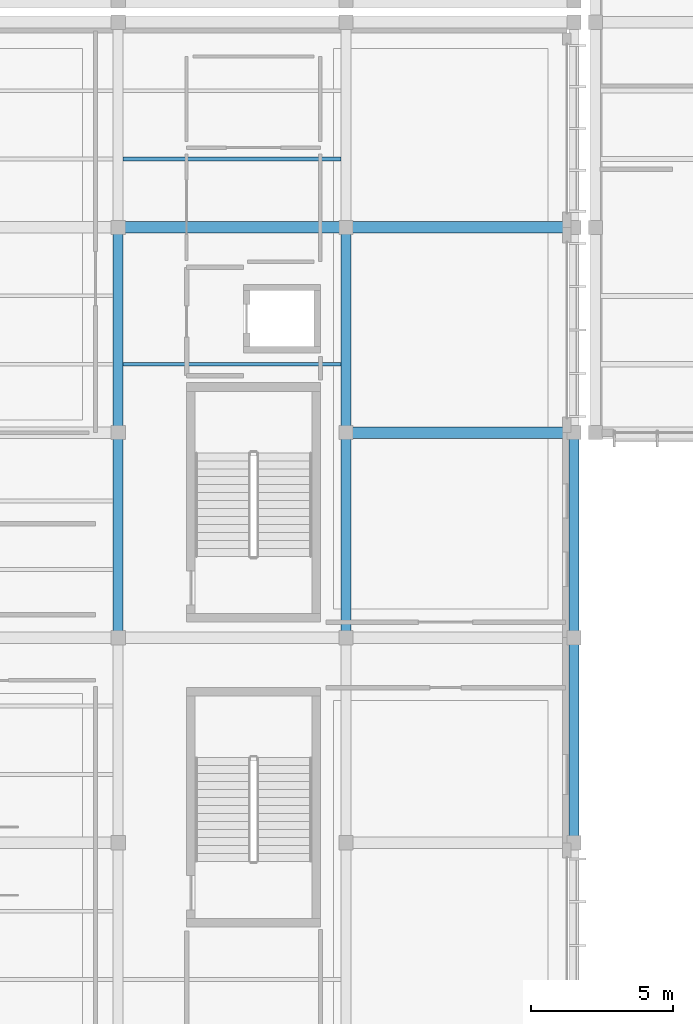
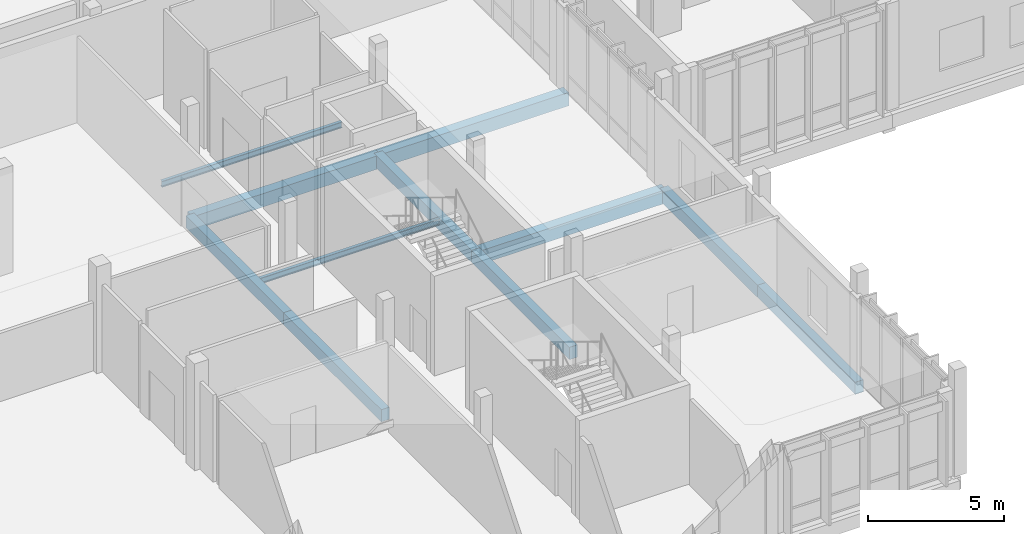
# One storey, part 25 of 177: 11 beams.
"""IFC4 building model written with IfcOpenShell, lengths in metres."""

from ifc_helpers import new_model, si_unit, direction, frame, origin, origin_2d, place, context, subcontext, project, spatial, rectangle, i_section, extrude, material, material_profile, profile_set, type_object, element, save


model = new_model("IFC4")

# Units and contexts
model_context = context("Model", 3, precision=1e-05, world=origin(), true_north=direction((0.0, 1.0)))
body_context = subcontext(model_context, "Body", "Model", "MODEL_VIEW")
ifc_project = project(units=[si_unit("LENGTHUNIT", "METRE"), si_unit("AREAUNIT", "SQUARE_METRE"), si_unit("VOLUMEUNIT", "CUBIC_METRE"), si_unit("PLANEANGLEUNIT", "RADIAN"), si_unit("MASSUNIT", "GRAM", prefix="KILO")], contexts=[model_context])

# Site, building, storey
site_placement = place(None, origin())
site = spatial("IfcSite", under=ifc_project, at=site_placement, CompositionType="ELEMENT")
building_placement = place(site_placement, origin())
building = spatial("IfcBuilding", under=site, at=building_placement, Name="Chiffa Square Polytechnic", CompositionType="ELEMENT")
storey_placement = place(building_placement, frame((0.0, 0.0, 4.800048828125)))
storey = spatial("IfcBuildingStorey", under=building, at=storey_placement, Name="L01", CompositionType="ELEMENT", Elevation=4.800048828125)

# Beams
ifc_material_1 = material(Name="Concrete C35/45", Category="concrete")
ifc_material_profile_1 = material_profile(ifc_material_1, rectangle(XDim=0.35009765625, YDim=0.550048828125, at=origin_2d()), Name="RC 350x550")
ifc_profile_set_1 = profile_set([ifc_material_profile_1], Name="Concrete C35/45")
beam_type_1 = type_object("IfcBeamType", Name="BM-RC-350X550", PredefinedType="BEAM", material=ifc_profile_set_1)
beam_1_placement = place(storey_placement, frame((32.0, 14.39990234375, -0.554931640625), z_axis=(0.0, 1.0, 0.0), x_axis=(-1.0, 0.0, 0.0)))
element("IfcBeam", 1, at=beam_1_placement, inside=storey, type_object=beam_type_1, Name="Primary floor girder BM-V3-L01-Y-0320-0144", PredefinedType="BEAM", context=body_context, shape_type="SweptSolid", body=[
    extrude(rectangle(XDim=0.35009765625, YDim=0.550048828125, at=origin_2d()), origin(), (0.0, 0.0, 1.0), 7.2001953125),
])
beam_2_placement = place(storey_placement, frame((32.0, 21.60009765625, -0.554931640625), z_axis=(0.0, 1.0, 0.0), x_axis=(-1.0, 0.0, 0.0)))
element("IfcBeam", 2, at=beam_2_placement, inside=storey, type_object=beam_type_1, Name="Primary floor girder BM-V3-L01-Y-0320-0216", PredefinedType="BEAM", context=body_context, shape_type="SweptSolid", body=[
    extrude(rectangle(XDim=0.35009765625, YDim=0.550048828125, at=origin_2d()), origin(), (0.0, 0.0, 1.0), 7.199951171875),
])
beam_3_placement = place(storey_placement, frame((40.0, 14.39990234375, -0.554931640625), z_axis=(0.0, 1.0, 0.0), x_axis=(-1.0, 0.0, 0.0)))
element("IfcBeam", 3, at=beam_3_placement, inside=storey, type_object=beam_type_1, Name="Primary floor girder BM-V3-L01-Y-0400-0144", PredefinedType="BEAM", context=body_context, shape_type="SweptSolid", body=[
    extrude(rectangle(XDim=0.35009765625, YDim=0.550048828125, at=origin_2d()), origin(), (0.0, 0.0, 1.0), 7.2001953125),
])
for number, where, z_axis, x_axis, name in (
    (4, (40.0, 21.60009765625, -0.554931640625), (0.0, 1.0, 0.0), (-1.0, 0.0, 0.0), "Primary floor girder BM-V3-L01-Y-0400-0216"),
    (5, (48.0, 7.199951171875, -0.554931640625), (0.0, 1.0, 0.0), (-1.0, 0.0, 0.0), "Primary floor girder BM-V3-L01-Y-0480-0072"),
):
    element("IfcBeam", number, at=place(storey_placement, frame(where, z_axis=z_axis, x_axis=x_axis)), inside=storey, type_object=beam_type_1, Name=name, PredefinedType="BEAM", context=body_context, shape_type="SweptSolid", body=[
        extrude(rectangle(XDim=0.35009765625, YDim=0.550048828125, at=origin_2d()), origin(), (0.0, 0.0, 1.0), 7.199951171875),
    ])
beam_4_placement = place(storey_placement, frame((48.0, 14.39990234375, -0.554931640625), z_axis=(0.0, 1.0, 0.0), x_axis=(-1.0, 0.0, 0.0)))
element("IfcBeam", 6, at=beam_4_placement, inside=storey, type_object=beam_type_1, Name="Primary floor girder BM-V3-L01-Y-0480-0144", PredefinedType="BEAM", context=body_context, shape_type="SweptSolid", body=[
    extrude(rectangle(XDim=0.35009765625, YDim=0.550048828125, at=origin_2d()), origin(), (0.0, 0.0, 1.0), 7.2001953125),
])
ifc_material_profile_2 = material_profile(ifc_material_1, rectangle(XDim=0.39990234375, YDim=0.60009765625, at=origin_2d()), Name="RC 400x600")
ifc_profile_set_2 = profile_set([ifc_material_profile_2], Name="Concrete C35/45")
beam_type_2 = type_object("IfcBeamType", Name="BM-RC-400X600", PredefinedType="BEAM", material=ifc_profile_set_2)
for number, where, z_axis, x_axis, name in (
    (7, (40.0, 21.60009765625, -0.580078125), (1.0, 0.0, 0.0), (0.0, 1.0, 0.0), "Primary floor girder BM-V3-L01-X-0400-0216"),
    (8, (32.0, 28.800048828125, -0.580078125), (1.0, 0.0, 0.0), (0.0, 1.0, 0.0), "Primary floor girder BM-V3-L01-X-0320-0288"),
    (9, (40.0, 28.800048828125, -0.580078125), (1.0, 0.0, 0.0), (0.0, 1.0, 0.0), "Primary floor girder BM-V3-L01-X-0400-0288"),
):
    element("IfcBeam", number, at=place(storey_placement, frame(where, z_axis=z_axis, x_axis=x_axis)), inside=storey, type_object=beam_type_2, Name=name, PredefinedType="BEAM", context=body_context, shape_type="SweptSolid", body=[
        extrude(rectangle(XDim=0.39990234375, YDim=0.60009765625, at=origin_2d()), origin(), (0.0, 0.0, 1.0), 8.0),
    ])
ifc_material_2 = material(Name="Steel S355", Category="steel")
ifc_material_profile_3 = material_profile(ifc_material_2, i_section(OverallWidth=0.135009765625, OverallDepth=0.27001953125, WebThickness=0.006591796875, FlangeThickness=0.01025390625, FilletRadius=0.014892578125, at=origin_2d()), Name="IPE 270")
ifc_profile_set_3 = profile_set([ifc_material_profile_3], Name="Steel S355")
beam_type_3 = type_object("IfcBeamType", Name="JST-STL-IPE270", PredefinedType="JOIST", material=ifc_profile_set_3)
for number, where, z_axis, x_axis, name in (
    (10, (32.173095703125, 24.0, -0.4150390625), (1.0, 0.0, 0.0), (0.0, 1.0, 0.0), "Secondary floor joist JST-V3-L01-0320-0240"),
    (11, (32.173095703125, 31.199951171875, -0.4150390625), (1.0, 0.0, 0.0), (0.0, 1.0, 0.0), "Secondary floor joist JST-V3-L01-0320-0312"),
):
    element("IfcBeam", number, at=place(storey_placement, frame(where, z_axis=z_axis, x_axis=x_axis)), inside=storey, type_object=beam_type_3, Name=name, PredefinedType="JOIST", context=body_context, shape_type="SweptSolid", body=[
        extrude(i_section(OverallWidth=0.135009765625, OverallDepth=0.27001953125, WebThickness=0.006591796875, FlangeThickness=0.01025390625, FilletRadius=0.014892578125, at=origin_2d()), origin(), (0.0, 0.0, 1.0), 7.65380859375),
    ])

save(model, "model.ifc")
